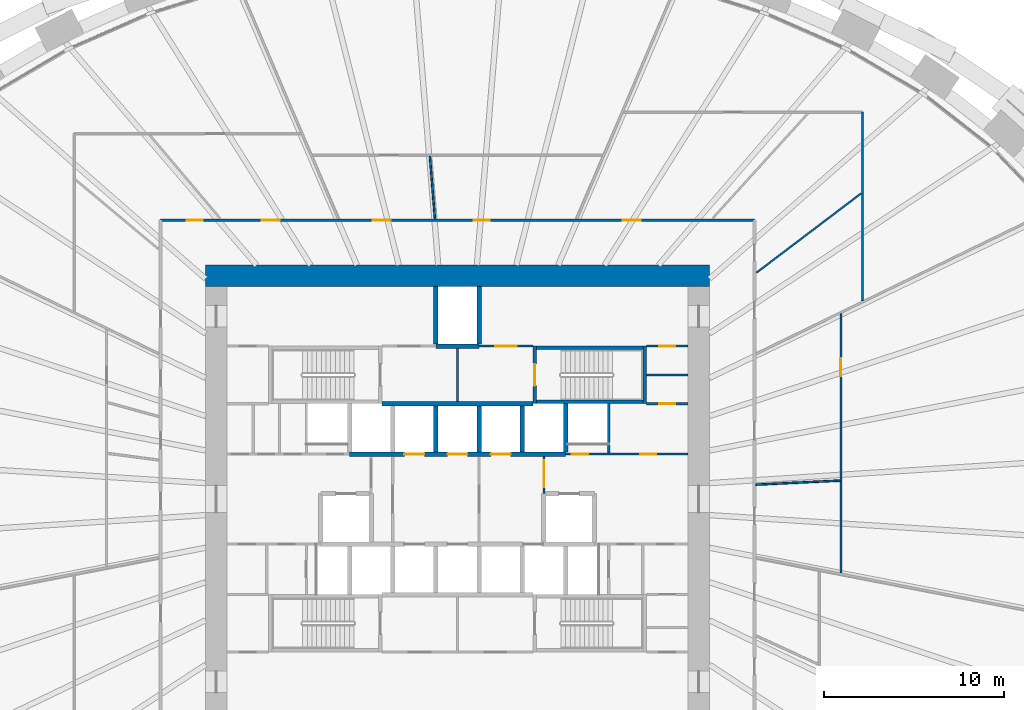
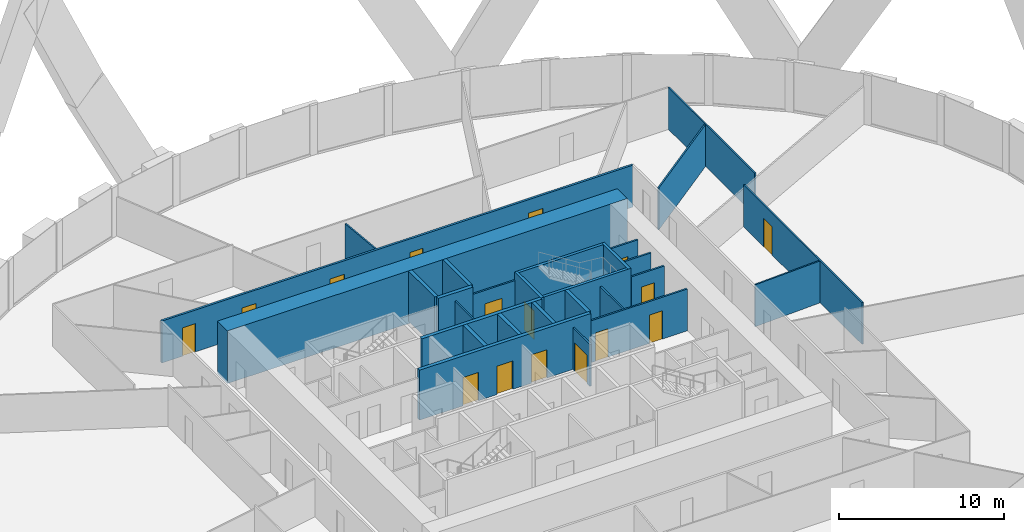
# One storey, part 10 of 13: 28 walls, 16 doors, 16 openings.
"""IFC4 building model written with IfcOpenShell, lengths in metres."""

from ifc_helpers import new_model, si_unit, direction, frame, frame_2d, origin, place, context, subcontext, project, spatial, rectangle, extrude, source, transform, mapped, material, layer, layer_set, type_object, element, fill, save


model = new_model("IFC4")

# Units and contexts
model_context = context("Model", 3, precision=1e-05, world=origin(), true_north=direction((0.0, 1.0)))
body_context = subcontext(model_context, "Body", "Model", "MODEL_VIEW")
ifc_project = project(units=[si_unit("LENGTHUNIT", "METRE"), si_unit("AREAUNIT", "SQUARE_METRE"), si_unit("VOLUMEUNIT", "CUBIC_METRE"), si_unit("PLANEANGLEUNIT", "RADIAN"), si_unit("MASSUNIT", "GRAM", prefix="KILO")], contexts=[model_context])

# Site, building, storey
site_placement = place(None, origin())
site = spatial("IfcSite", under=ifc_project, at=site_placement, CompositionType="ELEMENT")
building_placement = place(site_placement, origin())
building = spatial("IfcBuilding", under=site, at=building_placement, Name="Embergate Tower", CompositionType="ELEMENT")
storey_placement = place(building_placement, frame((0.0, 0.0, 105.5)))
storey = spatial("IfcBuildingStorey", under=building, at=storey_placement, Name="L22", CompositionType="ELEMENT", Elevation=105.5)

# Walls
ifc_material_1 = material(Name="Concrete C80", Category="concrete")
ifc_layer_1 = layer(ifc_material_1, 1.199951171875)
ifc_layer_set_1 = layer_set([ifc_layer_1], Name="Concrete C80")
wall_type_1 = type_object("IfcWallType", Name="Core outer wall C80 1200", PredefinedType="SHEAR", material=ifc_layer_set_1)
shared_shape_1 = source(origin(), body_context, "Body", "SweptSolid", [
    extrude(rectangle(XDim=28.0, YDim=1.199951171875, at=frame_2d((14.0, 0.0))), origin(), (0.0, 0.0, 1.0), 3.89990234375),
])
wall_1_placement = place(storey_placement, frame((-14.0, 12.39990234375, -0.199951171875), z_axis=(0.0, 0.0, 1.0), x_axis=(1.0, 0.0, 0.0)))
element("IfcWall", 1, at=wall_1_placement, inside=storey, type_object=wall_type_1, Name="CW-L22-N", PredefinedType="SHEAR", context=body_context, shape_type="MappedRepresentation", body=[
    mapped(shared_shape_1, transform((0.0, 0.0, 0.0))),
])
ifc_material_2 = material(Name="Concrete C50", Category="concrete")
ifc_layer_2 = layer(ifc_material_2, 0.25)
ifc_layer_set_2 = layer_set([ifc_layer_2], Name="Concrete C50")
wall_type_2 = type_object("IfcWallType", Name="Hoistway wall reinforced concrete 250", PredefinedType="SHEAR", material=ifc_layer_set_2)
shared_shape_2 = source(origin(), body_context, "Body", "SweptSolid", [
    extrude(rectangle(XDim=2.675048828125, YDim=0.25, at=frame_2d((1.33740234375, 0.0))), origin(), (0.0, 0.0, 1.0), 3.699951171875),
])
wall_2_placement = place(storey_placement, frame((6.0, 2.625, 0.0), z_axis=(0.0, 0.0, 1.0), x_axis=(0.0, 1.0, 0.0)))
element("IfcWall", 2, at=wall_2_placement, inside=storey, type_object=wall_type_2, Name="HW-1 wall", PredefinedType="SHEAR", context=body_context, shape_type="MappedRepresentation", body=[
    mapped(shared_shape_2, transform((0.0, 0.0, 0.0))),
])

# Wall, openings, doors
ifc_material_3 = material(Name="Core partition blockwork 120")
ifc_layer_3 = layer(ifc_material_3, 0.1201171875)
ifc_layer_set_3 = layer_set([ifc_layer_3], Name="Core partition blockwork 120")
wall_type_3 = type_object("IfcWallType", Name="Core partition blockwork 120", PredefinedType="PARTITIONING", material=ifc_layer_set_3)
shared_shape_3 = source(origin(), body_context, "Body", "SweptSolid", [
    extrude(rectangle(XDim=6.800048828125, YDim=0.1201171875, at=frame_2d((3.39990234375, 0.0))), origin(), (0.0, 0.0, 1.0), 3.10009765625),
])
wall_3_placement = place(storey_placement, frame((6.0, 2.5, 0.0), z_axis=(0.0, 0.0, 1.0), x_axis=(1.0, 0.0, 0.0)))
wall_3 = element("IfcWall", 3, at=wall_3_placement, inside=storey, type_object=wall_type_3, Name="IP-3 wall", PredefinedType="PARTITIONING", context=body_context, shape_type="MappedRepresentation", body=[
    mapped(shared_shape_3, transform((0.0, 0.0, 0.0))),
])
shared_shape_4 = source(origin(), body_context, "Body", "SweptSolid", [
    extrude(rectangle(XDim=0.89990234375, YDim=2.10009765625, at=frame_2d((0.449951171875, 1.050048828125))), frame((0.0, 0.070068359375, 0.0), z_axis=(0.0, -1.0, 0.0), x_axis=(1.0, 0.0, 0.0)), (0.0, 0.0, 1.0), 0.14013671875),
])
opening_1_placement = place(wall_3_placement, frame((0.35009765625, 0.0, 0.0)))
opening_1 = element("IfcOpeningElement", 4, at=opening_1_placement, cuts=wall_3, Name="Opening ID-1", PredefinedType="OPENING", context=body_context, shape_type="MappedRepresentation", body=[
    mapped(shared_shape_4, transform((0.0, 0.0, 0.0))),
])
opening_2_placement = place(wall_3_placement, frame((4.14990234375, 0.0, 0.0)))
opening_2 = element("IfcOpeningElement", 5, at=opening_2_placement, cuts=wall_3, Name="Opening ID-1", PredefinedType="OPENING", context=body_context, shape_type="MappedRepresentation", body=[
    mapped(shared_shape_4, transform((0.0, 0.0, 0.0))),
])
ifc_material_4 = material(Name="Interior door 900")
door_type_1 = type_object("IfcDoorType", Name="Interior door 900", OperationType="SINGLE_SWING_LEFT", PredefinedType="DOOR", material=ifc_material_4)
shared_shape_5 = source(origin(), body_context, "Body", "SweptSolid", [
    extrude(rectangle(XDim=0.89990234375, YDim=2.10009765625, at=frame_2d((0.449951171875, 1.050048828125))), frame((0.0, 0.02490234375, 0.0), z_axis=(0.0, -1.0, 0.0), x_axis=(1.0, 0.0, 0.0)), (0.0, 0.0, 1.0), 0.050048828125),
])
door_1_placement = place(opening_1_placement, origin())
door_1 = element("IfcDoor", 6, at=door_1_placement, inside=storey, type_object=door_type_1, Name="ID-1 door", OperationType="SINGLE_SWING_RIGHT", OverallHeight=2.10009765625, OverallWidth=0.89990234375, PredefinedType="DOOR", context=body_context, shape_type="MappedRepresentation", body=[
    mapped(shared_shape_5, transform((0.0, 0.0, 0.0))),
])
fill(opening_1, door_1)
door_2_placement = place(opening_2_placement, origin())
door_2 = element("IfcDoor", 7, at=door_2_placement, inside=storey, type_object=door_type_1, Name="ID-1 door", OperationType="SINGLE_SWING_LEFT", OverallHeight=2.10009765625, OverallWidth=0.89990234375, PredefinedType="DOOR", context=body_context, shape_type="MappedRepresentation", body=[
    mapped(shared_shape_5, transform((0.0, 0.0, 0.0))),
])
fill(opening_2, door_2)

# Walls
ifc_layer_4 = layer(ifc_material_2, 0.199951171875)
ifc_layer_set_4 = layer_set([ifc_layer_4], Name="Concrete C50")
wall_type_4 = type_object("IfcWallType", Name="Stair enclosure wall reinforced concrete 250", PredefinedType="SHEAR", material=ifc_layer_set_4)
shared_shape_6 = source(origin(), body_context, "Body", "SweptSolid", [
    extrude(rectangle(XDim=6.300048828125, YDim=0.199951171875, at=frame_2d((3.14990234375, 0.0))), origin(), (0.0, 0.0, 1.0), 3.699951171875),
])
for number, where, z_axis, x_axis, name in (
    (8, (10.5, 5.39990234375, 0.0), (0.0, 0.0, 1.0), (-1.0, 0.0, 0.0), "SE-1 wall"),
    (9, (10.5, 8.39990234375, 0.0), (0.0, 0.0, 1.0), (-1.0, 0.0, 0.0), "SE-1 wall"),
):
    element("IfcWall", number, at=place(storey_placement, frame(where, z_axis=z_axis, x_axis=x_axis)), inside=storey, type_object=wall_type_4, Name=name, PredefinedType="SHEAR", context=body_context, shape_type="MappedRepresentation", body=[
        mapped(shared_shape_6, transform((0.0, 0.0, 0.0))),
    ])
shared_shape_7 = source(origin(), body_context, "Body", "SweptSolid", [
    extrude(rectangle(XDim=2.739990234375, YDim=0.1201171875, at=frame_2d((1.3701171875, 0.0))), origin(), (0.0, 0.0, 1.0), 3.10009765625),
])
wall_4_placement = place(storey_placement, frame((8.39990234375, 2.56005859375, 0.0), z_axis=(0.0, 0.0, 1.0), x_axis=(0.0, 1.0, 0.0)))
element("IfcWall", 10, at=wall_4_placement, inside=storey, type_object=wall_type_3, Name="IP-3 wall", PredefinedType="PARTITIONING", context=body_context, shape_type="MappedRepresentation", body=[
    mapped(shared_shape_7, transform((0.0, 0.0, 0.0))),
])
shared_shape_8 = source(origin(), body_context, "Body", "SweptSolid", [
    extrude(rectangle(XDim=2.550048828125, YDim=0.25, at=frame_2d((1.27490234375, 0.0))), origin(), (0.0, 0.0, 1.0), 3.699951171875),
])
for number, where, z_axis, x_axis, name in (
    (11, (-1.199951171875, 2.625, 0.0), (0.0, 0.0, 1.0), (0.0, 1.0, 0.0), "HW-1 wall"),
    (12, (1.199951171875, 2.625, 0.0), (0.0, 0.0, 1.0), (0.0, 1.0, 0.0), "HW-1 wall"),
    (13, (3.60009765625, 2.625, 0.0), (0.0, 0.0, 1.0), (0.0, 1.0, 0.0), "HW-1 wall"),
):
    element("IfcWall", number, at=place(storey_placement, frame(where, z_axis=z_axis, x_axis=x_axis)), inside=storey, type_object=wall_type_2, Name=name, PredefinedType="SHEAR", context=body_context, shape_type="MappedRepresentation", body=[
        mapped(shared_shape_8, transform((0.0, 0.0, 0.0))),
    ])

# Wall, openings, doors
shared_shape_9 = source(origin(), body_context, "Body", "SweptSolid", [
    extrude(rectangle(XDim=12.0, YDim=0.25, at=frame_2d((6.0, 0.0))), origin(), (0.0, 0.0, 1.0), 3.699951171875),
])
wall_5_placement = place(storey_placement, frame((-6.0, 2.5, 0.0), z_axis=(0.0, 0.0, 1.0), x_axis=(1.0, 0.0, 0.0)))
wall_5 = element("IfcWall", 14, at=wall_5_placement, inside=storey, type_object=wall_type_2, Name="HW-1 wall", PredefinedType="SHEAR", context=body_context, shape_type="MappedRepresentation", body=[
    mapped(shared_shape_9, transform((0.0, 0.0, 0.0))),
])
shared_shape_10 = source(origin(), body_context, "Body", "SweptSolid", [
    extrude(rectangle(XDim=1.10009765625, YDim=2.10009765625, at=frame_2d((0.550048828125, 1.050048828125))), frame((0.0, 0.135009765625, 0.0), z_axis=(0.0, -1.0, 0.0), x_axis=(1.0, 0.0, 0.0)), (0.0, 0.0, 1.0), 0.27001953125),
])
opening_3_placement = place(wall_5_placement, frame((3.050048828125, 0.0, 0.0)))
opening_3 = element("IfcOpeningElement", 15, at=opening_3_placement, cuts=wall_5, Name="Opening LD", PredefinedType="OPENING", context=body_context, shape_type="MappedRepresentation", body=[
    mapped(shared_shape_10, transform((0.0, 0.0, 0.0))),
])
opening_4_placement = place(wall_5_placement, frame((5.449951171875, 0.0, 0.0)))
opening_4 = element("IfcOpeningElement", 16, at=opening_4_placement, cuts=wall_5, Name="Opening LD", PredefinedType="OPENING", context=body_context, shape_type="MappedRepresentation", body=[
    mapped(shared_shape_10, transform((0.0, 0.0, 0.0))),
])
opening_5_placement = place(wall_5_placement, frame((7.85009765625, 0.0, 0.0)))
opening_5 = element("IfcOpeningElement", 17, at=opening_5_placement, cuts=wall_5, Name="Opening LD", PredefinedType="OPENING", context=body_context, shape_type="MappedRepresentation", body=[
    mapped(shared_shape_10, transform((0.0, 0.0, 0.0))),
])
ifc_material_5 = material(Name="Landing door sliding 1100")
door_type_2 = type_object("IfcDoorType", Name="Landing door sliding 1100", OperationType="SLIDING_TO_LEFT", PredefinedType="DOOR", material=ifc_material_5)
shared_shape_11 = source(origin(), body_context, "Body", "SweptSolid", [
    extrude(rectangle(XDim=1.10009765625, YDim=2.10009765625, at=frame_2d((0.550048828125, 1.050048828125))), frame((0.0, 0.02490234375, 0.0), z_axis=(0.0, -1.0, 0.0), x_axis=(1.0, 0.0, 0.0)), (0.0, 0.0, 1.0), 0.050048828125),
])
door_3_placement = place(opening_3_placement, origin())
door_3 = element("IfcDoor", 18, at=door_3_placement, inside=storey, type_object=door_type_2, Name="LD door", OperationType="SLIDING_TO_RIGHT", OverallHeight=2.10009765625, OverallWidth=1.10009765625, PredefinedType="DOOR", context=body_context, shape_type="MappedRepresentation", body=[
    mapped(shared_shape_11, transform((0.0, 0.0, 0.0))),
])
fill(opening_3, door_3)
door_4_placement = place(opening_4_placement, origin())
door_4 = element("IfcDoor", 19, at=door_4_placement, inside=storey, type_object=door_type_2, Name="LD door", OperationType="SLIDING_TO_LEFT", OverallHeight=2.10009765625, OverallWidth=1.10009765625, PredefinedType="DOOR", context=body_context, shape_type="MappedRepresentation", body=[
    mapped(shared_shape_11, transform((0.0, 0.0, 0.0))),
])
fill(opening_4, door_4)
door_5_placement = place(opening_5_placement, origin())
door_5 = element("IfcDoor", 20, at=door_5_placement, inside=storey, type_object=door_type_2, Name="LD door", OperationType="SLIDING_TO_LEFT", OverallHeight=2.10009765625, OverallWidth=1.10009765625, PredefinedType="DOOR", context=body_context, shape_type="MappedRepresentation", body=[
    mapped(shared_shape_11, transform((0.0, 0.0, 0.0))),
])
fill(opening_5, door_5)

# Wall
shared_shape_12 = source(origin(), body_context, "Body", "SweptSolid", [
    extrude(rectangle(XDim=8.39990234375, YDim=0.25, at=frame_2d((4.199951171875, 0.0))), origin(), (0.0, 0.0, 1.0), 3.699951171875),
])
wall_6_placement = place(storey_placement, frame((4.199951171875, 5.300048828125, 0.0), z_axis=(0.0, 0.0, 1.0), x_axis=(-1.0, 0.0, 0.0)))
element("IfcWall", 21, at=wall_6_placement, inside=storey, type_object=wall_type_2, Name="HW-1 wall", PredefinedType="SHEAR", context=body_context, shape_type="MappedRepresentation", body=[
    mapped(shared_shape_12, transform((0.0, 0.0, 0.0))),
])

# Wall, opening, door
shared_shape_13 = source(origin(), body_context, "Body", "SweptSolid", [
    extrude(rectangle(XDim=2.074951171875, YDim=0.1201171875, at=frame_2d((1.03759765625, 0.0))), origin(), (0.0, 0.0, 1.0), 3.10009765625),
])
wall_7_placement = place(storey_placement, frame((4.800048828125, 0.300048828125, 0.0), z_axis=(0.0, 0.0, 1.0), x_axis=(0.0, 1.0, 0.0)))
wall_7 = element("IfcWall", 22, at=wall_7_placement, inside=storey, type_object=wall_type_3, Name="IP-3 wall", PredefinedType="PARTITIONING", context=body_context, shape_type="MappedRepresentation", body=[
    mapped(shared_shape_13, transform((0.0, 0.0, 0.0))),
])
shared_shape_14 = source(origin(), body_context, "Body", "SweptSolid", [
    extrude(rectangle(XDim=1.5, YDim=2.10009765625, at=frame_2d((0.75, 1.050048828125))), frame((0.0, 0.070068359375, 0.0), z_axis=(0.0, -1.0, 0.0), x_axis=(1.0, 0.0, 0.0)), (0.0, 0.0, 1.0), 0.14013671875),
])
opening_6_placement = place(wall_7_placement, frame((0.35009765625, 0.0, 0.0)))
opening_6 = element("IfcOpeningElement", 23, at=opening_6_placement, cuts=wall_7, Name="Opening IF-3", PredefinedType="OPENING", context=body_context, shape_type="MappedRepresentation", body=[
    mapped(shared_shape_14, transform((0.0, 0.0, 0.0))),
])
ifc_material_6 = material(Name="Lobby fire door pair 1500")
door_type_3 = type_object("IfcDoorType", Name="Lobby fire door pair 1500", OperationType="DOUBLE_DOOR_SINGLE_SWING", PredefinedType="DOOR", material=ifc_material_6)
shared_shape_15 = source(origin(), body_context, "Body", "SweptSolid", [
    extrude(rectangle(XDim=1.5, YDim=2.10009765625, at=frame_2d((0.75, 1.050048828125))), frame((0.0, 0.02490234375, 0.0), z_axis=(0.0, -1.0, 0.0), x_axis=(1.0, 0.0, 0.0)), (0.0, 0.0, 1.0), 0.050048828125),
])
door_6_placement = place(opening_6_placement, origin())
door_6 = element("IfcDoor", 24, at=door_6_placement, inside=storey, type_object=door_type_3, Name="IF-3 door", OperationType="DOUBLE_DOOR_SINGLE_SWING", OverallHeight=2.10009765625, OverallWidth=1.5, PredefinedType="DOOR", context=body_context, shape_type="MappedRepresentation", body=[
    mapped(shared_shape_15, transform((0.0, 0.0, 0.0))),
])
fill(opening_6, door_6)

shared_shape_16 = source(origin(), body_context, "Body", "SweptSolid", [
    extrude(rectangle(XDim=3.199951171875, YDim=0.199951171875, at=frame_2d((1.60009765625, 0.0))), origin(), (0.0, 0.0, 1.0), 3.699951171875),
])
wall_8_placement = place(storey_placement, frame((4.300048828125, 8.5, 0.0), z_axis=(0.0, 0.0, 1.0), x_axis=(0.0, -1.0, 0.0)))
wall_8 = element("IfcWall", 25, at=wall_8_placement, inside=storey, type_object=wall_type_4, Name="SE-1 wall", PredefinedType="SHEAR", context=body_context, shape_type="MappedRepresentation", body=[
    mapped(shared_shape_16, transform((0.0, 0.0, 0.0))),
])
shared_shape_17 = source(origin(), body_context, "Body", "SweptSolid", [
    extrude(rectangle(XDim=1.199951171875, YDim=2.10009765625, at=frame_2d((0.60009765625, 1.050048828125))), frame((0.0, 0.10986328125, 0.0), z_axis=(0.0, -1.0, 0.0), x_axis=(1.0, 0.0, 0.0)), (0.0, 0.0, 1.0), 0.219970703125),
])
opening_7_placement = place(wall_8_placement, frame((1.0, 0.0, 0.0)))
opening_7 = element("IfcOpeningElement", 26, at=opening_7_placement, cuts=wall_8, Name="Opening IF-2", PredefinedType="OPENING", context=body_context, shape_type="MappedRepresentation", body=[
    mapped(shared_shape_17, transform((0.0, 0.0, 0.0))),
])
ifc_material_7 = material(Name="Stair enclosure door 1200")
door_type_4 = type_object("IfcDoorType", Name="Stair enclosure door 1200", OperationType="SINGLE_SWING_LEFT", PredefinedType="DOOR", material=ifc_material_7)
shared_shape_18 = source(origin(), body_context, "Body", "SweptSolid", [
    extrude(rectangle(XDim=1.199951171875, YDim=2.10009765625, at=frame_2d((0.60009765625, 1.050048828125))), frame((0.0, 0.02490234375, 0.0), z_axis=(0.0, -1.0, 0.0), x_axis=(1.0, 0.0, 0.0)), (0.0, 0.0, 1.0), 0.050048828125),
])
door_7_placement = place(opening_7_placement, origin())
door_7 = element("IfcDoor", 27, at=door_7_placement, inside=storey, type_object=door_type_4, Name="IF-2 door", OperationType="SINGLE_SWING_LEFT", OverallHeight=2.10009765625, OverallWidth=1.199951171875, PredefinedType="DOOR", context=body_context, shape_type="MappedRepresentation", body=[
    mapped(shared_shape_18, transform((0.0, 0.0, 0.0))),
])
fill(opening_7, door_7)

# Walls
wall_9_placement = place(storey_placement, frame((10.39990234375, 5.300048828125, 0.0), z_axis=(0.0, 0.0, 1.0), x_axis=(0.0, 1.0, 0.0)))
element("IfcWall", 28, at=wall_9_placement, inside=storey, type_object=wall_type_4, Name="SE-1 wall", PredefinedType="SHEAR", context=body_context, shape_type="MappedRepresentation", body=[
    mapped(shared_shape_16, transform((0.0, 0.0, 0.0))),
])
shared_shape_19 = source(origin(), body_context, "Body", "SweptSolid", [
    extrude(rectangle(XDim=2.949951171875, YDim=0.1201171875, at=frame_2d((1.47509765625, 0.0))), origin(), (0.0, 0.0, 1.0), 3.10009765625),
])
wall_10_placement = place(storey_placement, frame((0.0, 5.425048828125, 0.0), z_axis=(0.0, 0.0, 1.0), x_axis=(0.0, 1.0, 0.0)))
element("IfcWall", 29, at=wall_10_placement, inside=storey, type_object=wall_type_3, Name="IP-3 wall", PredefinedType="PARTITIONING", context=body_context, shape_type="MappedRepresentation", body=[
    mapped(shared_shape_19, transform((0.0, 0.0, 0.0))),
])

# Wall, opening, door
shared_shape_20 = source(origin(), body_context, "Body", "SweptSolid", [
    extrude(rectangle(XDim=3.0, YDim=0.1201171875, at=frame_2d((1.5, 0.0))), origin(), (0.0, 0.0, 1.0), 3.10009765625),
])
wall_11_placement = place(storey_placement, frame((4.199951171875, 8.5, 0.0), z_axis=(0.0, 0.0, 1.0), x_axis=(-1.0, 0.0, 0.0)))
wall_11 = element("IfcWall", 30, at=wall_11_placement, inside=storey, type_object=wall_type_3, Name="IP-3 wall", PredefinedType="PARTITIONING", context=body_context, shape_type="MappedRepresentation", body=[
    mapped(shared_shape_20, transform((0.0, 0.0, 0.0))),
])
shared_shape_21 = source(origin(), body_context, "Body", "SweptSolid", [
    extrude(rectangle(XDim=1.199951171875, YDim=2.10009765625, at=frame_2d((0.60009765625, 1.050048828125))), frame((0.0, 0.070068359375, 0.0), z_axis=(0.0, -1.0, 0.0), x_axis=(1.0, 0.0, 0.0)), (0.0, 0.0, 1.0), 0.14013671875),
])
opening_8_placement = place(wall_11_placement, frame((0.89990234375, 0.0, 0.0)))
opening_8 = element("IfcOpeningElement", 31, at=opening_8_placement, cuts=wall_11, Name="Opening IF-3f", PredefinedType="OPENING", context=body_context, shape_type="MappedRepresentation", body=[
    mapped(shared_shape_21, transform((0.0, 0.0, 0.0))),
])
ifc_material_8 = material(Name="Lobby fire door pair 1200")
door_type_5 = type_object("IfcDoorType", Name="Lobby fire door pair 1200", OperationType="DOUBLE_DOOR_SINGLE_SWING", PredefinedType="DOOR", material=ifc_material_8)
door_8_placement = place(opening_8_placement, origin())
door_8 = element("IfcDoor", 32, at=door_8_placement, inside=storey, type_object=door_type_5, Name="IF-3 door", OperationType="DOUBLE_DOOR_SINGLE_SWING", OverallHeight=2.10009765625, OverallWidth=1.199951171875, PredefinedType="DOOR", context=body_context, shape_type="MappedRepresentation", body=[
    mapped(shared_shape_18, transform((0.0, 0.0, 0.0))),
])
fill(opening_8, door_8)

# Walls
shared_shape_22 = source(origin(), body_context, "Body", "SweptSolid", [
    extrude(rectangle(XDim=2.39990234375, YDim=0.25, at=frame_2d((1.199951171875, 0.0))), origin(), (0.0, 0.0, 1.0), 3.699951171875),
])
wall_12_placement = place(storey_placement, frame((1.199951171875, 8.5, 0.0), z_axis=(0.0, 0.0, 1.0), x_axis=(-1.0, 0.0, 0.0)))
element("IfcWall", 33, at=wall_12_placement, inside=storey, type_object=wall_type_2, Name="HW-1 wall", PredefinedType="SHEAR", context=body_context, shape_type="MappedRepresentation", body=[
    mapped(shared_shape_22, transform((0.0, 0.0, 0.0))),
])
shared_shape_23 = source(origin(), body_context, "Body", "SweptSolid", [
    extrude(rectangle(XDim=3.175048828125, YDim=0.25, at=frame_2d((1.58740234375, 0.0))), origin(), (0.0, 0.0, 1.0), 3.699951171875),
])
for number, where, z_axis, x_axis, name in (
    (34, (-1.199951171875, 8.625, 0.0), (0.0, 0.0, 1.0), (0.0, 1.0, 0.0), "HW-1 wall"),
    (35, (1.199951171875, 11.800048828125, 0.0), (0.0, 0.0, 1.0), (0.0, -1.0, 0.0), "HW-1 wall"),
):
    element("IfcWall", number, at=place(storey_placement, frame(where, z_axis=z_axis, x_axis=x_axis)), inside=storey, type_object=wall_type_2, Name=name, PredefinedType="SHEAR", context=body_context, shape_type="MappedRepresentation", body=[
        mapped(shared_shape_23, transform((0.0, 0.0, 0.0))),
    ])

# Wall, opening, door
shared_shape_24 = source(origin(), body_context, "Body", "SweptSolid", [
    extrude(rectangle(XDim=2.300048828125, YDim=0.1201171875, at=frame_2d((1.14990234375, 0.0))), origin(), (0.0, 0.0, 1.0), 3.10009765625),
])
wall_13_placement = place(storey_placement, frame((10.5, 8.5, 0.0), z_axis=(0.0, 0.0, 1.0), x_axis=(1.0, 0.0, 0.0)))
wall_13 = element("IfcWall", 36, at=wall_13_placement, inside=storey, type_object=wall_type_3, Name="IP-3 wall", PredefinedType="PARTITIONING", context=body_context, shape_type="MappedRepresentation", body=[
    mapped(shared_shape_24, transform((0.0, 0.0, 0.0))),
])
opening_9_placement = place(wall_13_placement, frame((0.699951171875, 0.0, 0.0)))
opening_9 = element("IfcOpeningElement", 37, at=opening_9_placement, cuts=wall_13, Name="Opening ID-1", PredefinedType="OPENING", context=body_context, shape_type="MappedRepresentation", body=[
    mapped(shared_shape_4, transform((0.0, 0.0, 0.0))),
])
door_9_placement = place(opening_9_placement, origin())
door_9 = element("IfcDoor", 38, at=door_9_placement, inside=storey, type_object=door_type_1, Name="ID-1 door", OperationType="SINGLE_SWING_RIGHT", OverallHeight=2.10009765625, OverallWidth=0.89990234375, PredefinedType="DOOR", context=body_context, shape_type="MappedRepresentation", body=[
    mapped(shared_shape_5, transform((0.0, 0.0, 0.0))),
])
fill(opening_9, door_9)

wall_14_placement = place(storey_placement, frame((12.800048828125, 5.300048828125, 0.0), z_axis=(0.0, 0.0, 1.0), x_axis=(-1.0, 0.0, 0.0)))
wall_14 = element("IfcWall", 39, at=wall_14_placement, inside=storey, type_object=wall_type_3, Name="IP-3 wall", PredefinedType="PARTITIONING", context=body_context, shape_type="MappedRepresentation", body=[
    mapped(shared_shape_24, transform((0.0, 0.0, 0.0))),
])
opening_10_placement = place(wall_14_placement, frame((0.699951171875, 0.0, 0.0)))
opening_10 = element("IfcOpeningElement", 40, at=opening_10_placement, cuts=wall_14, Name="Opening ID-1", PredefinedType="OPENING", context=body_context, shape_type="MappedRepresentation", body=[
    mapped(shared_shape_4, transform((0.0, 0.0, 0.0))),
])
door_10_placement = place(opening_10_placement, origin())
door_10 = element("IfcDoor", 41, at=door_10_placement, inside=storey, type_object=door_type_1, Name="ID-1 door", OperationType="SINGLE_SWING_RIGHT", OverallHeight=2.10009765625, OverallWidth=0.89990234375, PredefinedType="DOOR", context=body_context, shape_type="MappedRepresentation", body=[
    mapped(shared_shape_5, transform((0.0, 0.0, 0.0))),
])
fill(opening_10, door_10)

# Wall
wall_15_placement = place(storey_placement, frame((12.800048828125, 6.89990234375, 0.0), z_axis=(0.0, 0.0, 1.0), x_axis=(-1.0, 0.0, 0.0)))
element("IfcWall", 42, at=wall_15_placement, inside=storey, type_object=wall_type_3, Name="IP-3 wall", PredefinedType="PARTITIONING", context=body_context, shape_type="MappedRepresentation", body=[
    mapped(shared_shape_24, transform((0.0, 0.0, 0.0))),
])

# Wall, openings, doors
ifc_material_9 = material(Name="Corridor wall dry-lined 150")
ifc_layer_5 = layer(ifc_material_9, 0.14990234375)
ifc_layer_set_5 = layer_set([ifc_layer_5], Name="Corridor wall dry-lined 150")
wall_type_5 = type_object("IfcWallType", Name="Corridor wall dry-lined 150", PredefinedType="PARTITIONING", material=ifc_layer_set_5)
shared_shape_25 = source(origin(), body_context, "Body", "SweptSolid", [
    extrude(rectangle(XDim=33.0, YDim=0.14990234375, at=frame_2d((16.5, 0.0))), origin(), (0.0, 0.0, 1.0), 3.10009765625),
])
wall_16_placement = place(storey_placement, frame((-16.5, 15.5, 0.0), z_axis=(0.0, 0.0, 1.0), x_axis=(1.0, 0.0, 0.0)))
wall_16 = element("IfcWall", 43, at=wall_16_placement, inside=storey, type_object=wall_type_5, Name="IP-2 wall", PredefinedType="PARTITIONING", context=body_context, shape_type="MappedRepresentation", body=[
    mapped(shared_shape_25, transform((0.0, 0.0, 0.0))),
])
shared_shape_26 = source(origin(), body_context, "Body", "SweptSolid", [
    extrude(rectangle(XDim=1.0, YDim=2.10009765625, at=frame_2d((0.5, 1.050048828125))), frame((0.0, 0.0849609375, 0.0), z_axis=(0.0, -1.0, 0.0), x_axis=(1.0, 0.0, 0.0)), (0.0, 0.0, 1.0), 0.169921875),
])
opening_11_placement = place(wall_16_placement, frame((25.69091796875, 0.0, 0.0)))
opening_11 = element("IfcOpeningElement", 44, at=opening_11_placement, cuts=wall_16, Name="Opening ID-2", PredefinedType="OPENING", context=body_context, shape_type="MappedRepresentation", body=[
    mapped(shared_shape_26, transform((0.0, 0.0, 0.0))),
])
shared_shape_27 = source(origin(), body_context, "Body", "SweptSolid", [
    extrude(rectangle(XDim=0.89990234375, YDim=2.10009765625, at=frame_2d((0.449951171875, 1.050048828125))), frame((0.0, 0.0849609375, 0.0), z_axis=(0.0, -1.0, 0.0), x_axis=(1.0, 0.0, 0.0)), (0.0, 0.0, 1.0), 0.169921875),
])
opening_12_placement = place(wall_16_placement, frame((17.389892578125, 0.0, 0.0)))
opening_12 = element("IfcOpeningElement", 45, at=opening_12_placement, cuts=wall_16, Name="Opening IF-1c", PredefinedType="OPENING", context=body_context, shape_type="MappedRepresentation", body=[
    mapped(shared_shape_27, transform((0.0, 0.0, 0.0))),
])
opening_13_placement = place(wall_16_placement, frame((11.777099609375, 0.0, 0.0)))
opening_13 = element("IfcOpeningElement", 46, at=opening_13_placement, cuts=wall_16, Name="Opening ID-2", PredefinedType="OPENING", context=body_context, shape_type="MappedRepresentation", body=[
    mapped(shared_shape_26, transform((0.0, 0.0, 0.0))),
])
opening_14_placement = place(wall_16_placement, frame((5.610107421875, 0.0, 0.0)))
opening_14 = element("IfcOpeningElement", 47, at=opening_14_placement, cuts=wall_16, Name="Opening ID-2", PredefinedType="OPENING", context=body_context, shape_type="MappedRepresentation", body=[
    mapped(shared_shape_26, transform((0.0, 0.0, 0.0))),
])
opening_15_placement = place(wall_16_placement, frame((1.4560546875, 0.0, 0.0)))
opening_15 = element("IfcOpeningElement", 48, at=opening_15_placement, cuts=wall_16, Name="Opening IF-1c", PredefinedType="OPENING", context=body_context, shape_type="MappedRepresentation", body=[
    mapped(shared_shape_27, transform((0.0, 0.0, 0.0))),
])
ifc_material_10 = material(Name="Escape fire door 900")
door_type_6 = type_object("IfcDoorType", Name="Escape fire door 900", OperationType="SINGLE_SWING_LEFT", PredefinedType="DOOR", material=ifc_material_10)
door_11_placement = place(opening_12_placement, origin())
door_11 = element("IfcDoor", 49, at=door_11_placement, inside=storey, type_object=door_type_6, Name="IF-1 door", OperationType="SINGLE_SWING_LEFT", OverallHeight=2.10009765625, OverallWidth=0.89990234375, PredefinedType="DOOR", context=body_context, shape_type="MappedRepresentation", body=[
    mapped(shared_shape_5, transform((0.0, 0.0, 0.0))),
])
fill(opening_12, door_11)
door_12_placement = place(opening_15_placement, origin())
door_12 = element("IfcDoor", 50, at=door_12_placement, inside=storey, type_object=door_type_6, Name="IF-1 door", OperationType="SINGLE_SWING_RIGHT", OverallHeight=2.10009765625, OverallWidth=0.89990234375, PredefinedType="DOOR", context=body_context, shape_type="MappedRepresentation", body=[
    mapped(shared_shape_5, transform((0.0, 0.0, 0.0))),
])
fill(opening_15, door_12)
ifc_material_11 = material(Name="Interior door 1000")
door_type_7 = type_object("IfcDoorType", Name="Interior door 1000", OperationType="SINGLE_SWING_LEFT", PredefinedType="DOOR", material=ifc_material_11)
shared_shape_28 = source(origin(), body_context, "Body", "SweptSolid", [
    extrude(rectangle(XDim=1.0, YDim=2.10009765625, at=frame_2d((0.5, 1.050048828125))), frame((0.0, 0.02490234375, 0.0), z_axis=(0.0, -1.0, 0.0), x_axis=(1.0, 0.0, 0.0)), (0.0, 0.0, 1.0), 0.050048828125),
])
door_13_placement = place(opening_11_placement, origin())
door_13 = element("IfcDoor", 51, at=door_13_placement, inside=storey, type_object=door_type_7, Name="ID-2 door", OperationType="SINGLE_SWING_RIGHT", OverallHeight=2.10009765625, OverallWidth=1.0, PredefinedType="DOOR", context=body_context, shape_type="MappedRepresentation", body=[
    mapped(shared_shape_28, transform((0.0, 0.0, 0.0))),
])
fill(opening_11, door_13)
door_14_placement = place(opening_13_placement, origin())
door_14 = element("IfcDoor", 52, at=door_14_placement, inside=storey, type_object=door_type_7, Name="ID-2 door", OperationType="SINGLE_SWING_LEFT", OverallHeight=2.10009765625, OverallWidth=1.0, PredefinedType="DOOR", context=body_context, shape_type="MappedRepresentation", body=[
    mapped(shared_shape_28, transform((0.0, 0.0, 0.0))),
])
fill(opening_13, door_14)
door_15_placement = place(opening_14_placement, origin())
door_15 = element("IfcDoor", 53, at=door_15_placement, inside=storey, type_object=door_type_7, Name="ID-2 door", OperationType="SINGLE_SWING_RIGHT", OverallHeight=2.10009765625, OverallWidth=1.0, PredefinedType="DOOR", context=body_context, shape_type="MappedRepresentation", body=[
    mapped(shared_shape_28, transform((0.0, 0.0, 0.0))),
])
fill(opening_14, door_15)

# Wall
ifc_material_12 = material(Name="Partition dry-lined 100")
ifc_layer_6 = layer(ifc_material_12, 0.10009765625)
ifc_layer_set_6 = layer_set([ifc_layer_6], Name="Partition dry-lined 100")
wall_type_6 = type_object("IfcWallType", Name="Partition dry-lined 100", PredefinedType="PARTITIONING", material=ifc_layer_set_6)
shared_shape_29 = source(origin(), body_context, "Body", "SweptSolid", [
    extrude(rectangle(XDim=4.6806640625, YDim=0.10009765625, at=frame_2d((2.34033203125, 0.0))), origin(), (0.0, 0.0, 1.0), 3.10009765625),
])
wall_17_placement = place(storey_placement, frame((21.25, 1.031005859375, 0.0), z_axis=(0.0, 0.0, 1.0), x_axis=(-0.998822729524, -0.048509328866, 0.0)))
element("IfcWall", 54, at=wall_17_placement, inside=storey, type_object=wall_type_6, Name="IP-1 wall", PredefinedType="PARTITIONING", context=body_context, shape_type="MappedRepresentation", body=[
    mapped(shared_shape_29, transform((0.0, 0.0, 0.0))),
])

# Wall, opening, door
shared_shape_30 = source(origin(), body_context, "Body", "SweptSolid", [
    extrude(rectangle(XDim=14.38818359375, YDim=0.10009765625, at=frame_2d((7.194091796875, 0.0))), origin(), (0.0, 0.0, 1.0), 3.10009765625),
])
wall_18_placement = place(storey_placement, frame((21.300048828125, -4.10009765625, 0.0), z_axis=(0.0, 0.0, 1.0), x_axis=(0.0, 1.0, 0.0)))
wall_18 = element("IfcWall", 55, at=wall_18_placement, inside=storey, type_object=wall_type_6, Name="IP-1 wall", PredefinedType="PARTITIONING", context=body_context, shape_type="MappedRepresentation", body=[
    mapped(shared_shape_30, transform((0.0, 0.0, 0.0))),
])
shared_shape_31 = source(origin(), body_context, "Body", "SweptSolid", [
    extrude(rectangle(XDim=1.0, YDim=2.10009765625, at=frame_2d((0.5, 1.050048828125))), frame((0.0, 0.06005859375, 0.0), z_axis=(0.0, -1.0, 0.0), x_axis=(1.0, 0.0, 0.0)), (0.0, 0.0, 1.0), 0.1201171875),
])
opening_16_placement = place(wall_18_placement, frame((10.925048828125, 0.0, 0.0)))
opening_16 = element("IfcOpeningElement", 56, at=opening_16_placement, cuts=wall_18, Name="Opening ID-2", PredefinedType="OPENING", context=body_context, shape_type="MappedRepresentation", body=[
    mapped(shared_shape_31, transform((0.0, 0.0, 0.0))),
])
door_16_placement = place(opening_16_placement, origin())
door_16 = element("IfcDoor", 57, at=door_16_placement, inside=storey, type_object=door_type_7, Name="ID-2 door", OperationType="SINGLE_SWING_LEFT", OverallHeight=2.10009765625, OverallWidth=1.0, PredefinedType="DOOR", context=body_context, shape_type="MappedRepresentation", body=[
    mapped(shared_shape_28, transform((0.0, 0.0, 0.0))),
])
fill(opening_16, door_16)

# Walls
shared_shape_32 = source(origin(), body_context, "Body", "SweptSolid", [
    extrude(rectangle(XDim=7.294921875, YDim=0.10009765625, at=frame_2d((3.6474609375, 0.0))), origin(), (0.0, 0.0, 1.0), 3.10009765625),
])
wall_19_placement = place(storey_placement, frame((16.60498046875, 12.5791015625, 0.0), z_axis=(0.0, 0.0, 1.0), x_axis=(0.797123388411, 0.60381644864, 0.0)))
element("IfcWall", 58, at=wall_19_placement, inside=storey, type_object=wall_type_6, Name="IP-1 wall", PredefinedType="PARTITIONING", context=body_context, shape_type="MappedRepresentation", body=[
    mapped(shared_shape_32, transform((0.0, 0.0, 0.0))),
])
shared_shape_33 = source(origin(), body_context, "Body", "SweptSolid", [
    extrude(rectangle(XDim=10.468017578125, YDim=0.10009765625, at=frame_2d((5.23388671875, 0.0))), origin(), (0.0, 0.0, 1.0), 3.10009765625),
])
wall_20_placement = place(storey_placement, frame((22.5, 11.031982421875, 0.0), z_axis=(0.0, 0.0, 1.0), x_axis=(0.0, 1.0, 0.0)))
element("IfcWall", 59, at=wall_20_placement, inside=storey, type_object=wall_type_6, Name="IP-1 wall", PredefinedType="PARTITIONING", context=body_context, shape_type="MappedRepresentation", body=[
    mapped(shared_shape_33, transform((0.0, 0.0, 0.0))),
])
shared_shape_34 = source(origin(), body_context, "Body", "SweptSolid", [
    extrude(rectangle(XDim=3.486328125, YDim=0.10009765625, at=frame_2d((1.7431640625, 0.0))), origin(), (0.0, 0.0, 1.0), 2.89990234375),
])
wall_21_placement = place(storey_placement, frame((-1.256103515625, 15.574951171875, 0.0), z_axis=(0.0, 0.0, 1.0), x_axis=(-0.080251771834, 0.996774625037, 0.0)))
element("IfcWall", 60, at=wall_21_placement, inside=storey, type_object=wall_type_6, Name="IP-1 wall", PredefinedType="PARTITIONING", context=body_context, shape_type="MappedRepresentation", body=[
    mapped(shared_shape_34, transform((0.0, 0.0, 0.0))),
])

save(model, "model.ifc")
